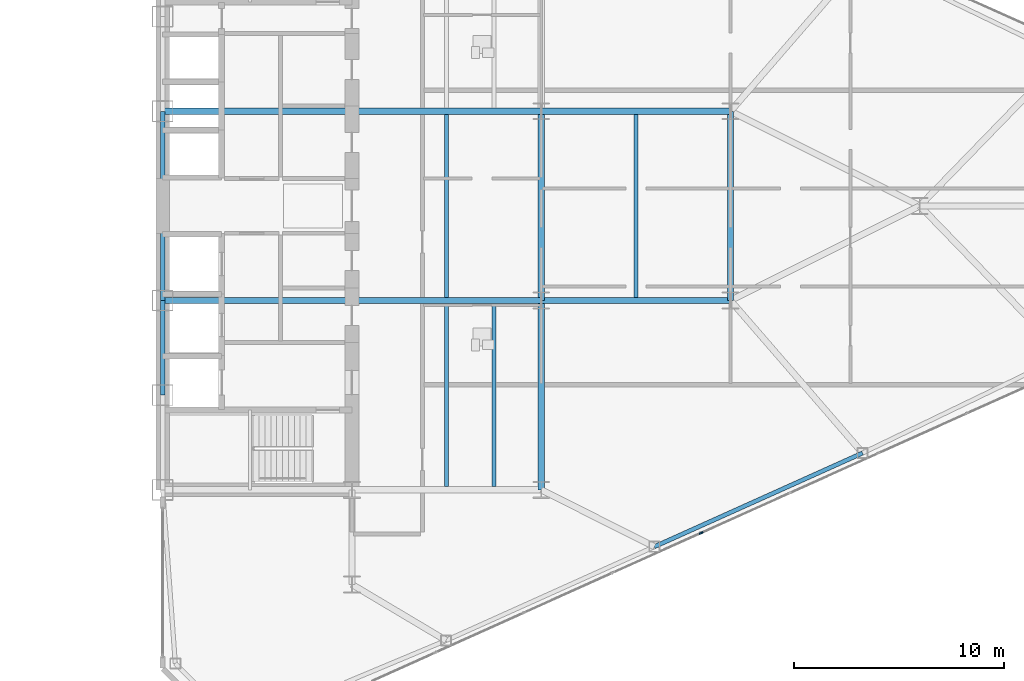
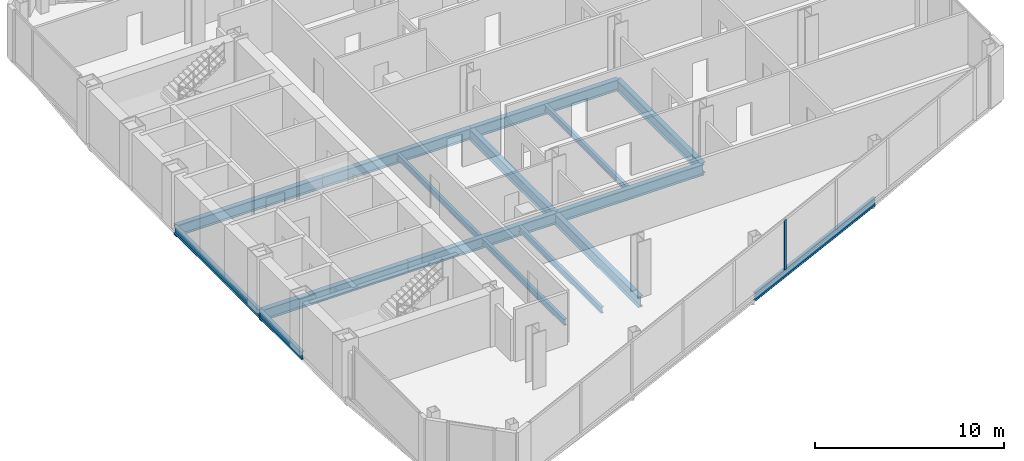
# One storey, part 12 of 27: 16 beams, 1 member, 1 element without a shape of its own.
"""IFC4 building model written with IfcOpenShell, lengths in metres."""

import ifcopenshell
import ifcopenshell.guid

model = None  # the IFC model being written
_history = None  # IfcOwnerHistory: only IFC2X3 demands one
_inside = {}  # id of a spatial element -> (the spatial element, [elements in it])
_under = {}  # id of a project, library or spatial element -> (it, [spatial elements below it])
_declared = {}  # id of a project -> (the project, [libraries it declares])
_typed = {}  # id of a type object -> (the type object, [elements of that type])
_made_of = {}  # id of a material, layer set ... -> (it, [elements and type objects made of it])


def new_model(schema):
    """Start an empty IFC model of exactly this schema.

    Asked for "IFC4X3", IfcOpenShell would pick the latest addendum, in which some entities
    have other attributes; the version numbers below select the first issue.
    IFC2X3 requires an IfcOwnerHistory on every rooted entity: one is made here for all.
    """
    global model, _history
    if schema == "IFC4X3":
        model = ifcopenshell.file(schema_version=(4, 3, 0, 0))
    else:
        model = ifcopenshell.file(schema=schema)
    _inside.clear()
    _under.clear()
    _declared.clear()
    _typed.clear()
    _made_of.clear()
    _history = None
    if model.schema == "IFC2X3":
        org = make("IfcOrganization", Name="unknown")
        user = make(
            "IfcPersonAndOrganization",
            ThePerson=make("IfcPerson", FamilyName="unknown"),
            TheOrganization=org,
        )
        app = make(
            "IfcApplication",
            ApplicationDeveloper=org,
            Version="unknown",
            ApplicationFullName="unknown",
            ApplicationIdentifier="unknown",
        )
        _history = make(
            "IfcOwnerHistory",
            OwningUser=user,
            OwningApplication=app,
            ChangeAction="ADDED",
            CreationDate=0,
        )
    return model


def make(cls, **values):
    """One entity of the class cls with the attributes given. An attribute that is None is left unset."""
    return model.create_entity(
        cls, **{name: value for name, value in values.items() if value is not None}
    )


def rooted(cls, **values):
    """An entity with a GlobalId (a new one), such as an element, a storey or a relation."""
    return make(cls, GlobalId=ifcopenshell.guid.new(), OwnerHistory=_history, **values)


def si_unit(unit_type, name, prefix=None):
    """IfcSIUnit, for example si_unit("LENGTHUNIT", "METRE", prefix="MILLI")."""
    return make("IfcSIUnit", UnitType=unit_type, Prefix=prefix, Name=name)


def assignment(units):
    """IfcUnitAssignment: the units of a project."""
    return None if units is None else make("IfcUnitAssignment", Units=units)


def point(xyz):
    """IfcCartesianPoint."""
    return None if xyz is None else make("IfcCartesianPoint", Coordinates=xyz)


def direction(xyz):
    """IfcDirection."""
    return None if xyz is None else make("IfcDirection", DirectionRatios=xyz)


def frame(location, z_axis=None, x_axis=None):
    """IfcAxis2Placement3D, a coordinate frame: its origin and axes. An axis left out is left unset."""
    return make(
        "IfcAxis2Placement3D",
        Location=point(location),
        Axis=direction(z_axis),
        RefDirection=direction(x_axis),
    )


def frame_2d(location, x_axis=None):
    """IfcAxis2Placement2D, a coordinate frame in the plane: its origin and x axis."""
    return make(
        "IfcAxis2Placement2D", Location=point(location), RefDirection=direction(x_axis)
    )


def origin():
    """The frame at (0, 0, 0) with its axes left unset."""
    return frame((0.0, 0.0, 0.0))


def origin_2d():
    """The frame at (0, 0) in the plane with its x axis left unset."""
    return frame_2d((0.0, 0.0))


def place(relative_to, where):
    """IfcLocalPlacement: puts the frame where relative to a parent placement (None: the world)."""
    return make(
        "IfcLocalPlacement", PlacementRelTo=relative_to, RelativePlacement=where
    )


def context(
    kind, dimensions, precision=None, world=None, true_north=None, identifier=None
):
    """IfcGeometricRepresentationContext, for example the 3D "Model" context."""
    return make(
        "IfcGeometricRepresentationContext",
        ContextIdentifier=identifier,
        ContextType=kind,
        CoordinateSpaceDimension=dimensions,
        Precision=precision,
        WorldCoordinateSystem=world,
        TrueNorth=true_north,
    )


def subcontext(parent, identifier, kind, view, scale=None):
    """IfcGeometricRepresentationSubContext, for example "Body" below "Model"."""
    return make(
        "IfcGeometricRepresentationSubContext",
        ContextIdentifier=identifier,
        ContextType=kind,
        ParentContext=parent,
        TargetScale=scale,
        TargetView=view,
    )


def project(units=None, contexts=None):
    """IfcProject with its units and contexts."""
    return rooted(
        "IfcProject",
        Name="project",
        RepresentationContexts=contexts,
        UnitsInContext=assignment(units),
    )


def spatial(cls, under=None, at=None, **own):
    """A site, building, storey or space (cls), placed at a placement, below another one or the project."""
    s = rooted(cls, ObjectPlacement=at, **own)
    if under is not None:
        _under.setdefault(under.id(), (under, []))[1].append(s)
    return s


def profile(cls, at=None, kind="AREA", **sizes):
    """A parametric profile (cls). Its sizes go by their IFC names, for example OverallWidth=200.0."""
    return make(cls, ProfileType=kind, Position=at, **sizes)


def rectangle(**sizes):
    """IfcRectangleProfileDef."""
    return profile("IfcRectangleProfileDef", **sizes)


def i_section(**sizes):
    """IfcIShapeProfileDef."""
    return profile("IfcIShapeProfileDef", **sizes)


def extrude(swept, where, along, depth):
    """IfcExtrudedAreaSolid: the profile swept, set in the frame where, extruded along a direction by depth."""
    return make(
        "IfcExtrudedAreaSolid",
        SweptArea=swept,
        Position=where,
        ExtrudedDirection=direction(along),
        Depth=depth,
    )


def shape(context_of_items, identifier, shape_type, items):
    """IfcShapeRepresentation: the items that make up one representation, for example the "Body"."""
    return make(
        "IfcShapeRepresentation",
        ContextOfItems=context_of_items,
        RepresentationIdentifier=identifier,
        RepresentationType=shape_type,
        Items=items,
    )


def source(mapping_origin, context_of_items, identifier, shape_type, items):
    """IfcRepresentationMap: a shape defined once, which mapped items show again and again."""
    return make(
        "IfcRepresentationMap",
        MappingOrigin=mapping_origin,
        MappedRepresentation=shape(context_of_items, identifier, shape_type, items),
    )


def transform(
    local_origin,
    x_axis=None,
    y_axis=None,
    z_axis=None,
    scale=None,
    scale2=None,
    scale3=None,
    uniform=True,
):
    """IfcCartesianTransformationOperator3D, or its non-uniform kind. x_axis, y_axis, z_axis: its Axis1, 2, 3."""
    if uniform:
        return make(
            "IfcCartesianTransformationOperator3D",
            Axis1=direction(x_axis),
            Axis2=direction(y_axis),
            LocalOrigin=point(local_origin),
            Scale=scale,
            Axis3=direction(z_axis),
        )
    return make(
        "IfcCartesianTransformationOperator3DnonUniform",
        Axis1=direction(x_axis),
        Axis2=direction(y_axis),
        LocalOrigin=point(local_origin),
        Scale=scale,
        Axis3=direction(z_axis),
        Scale2=scale2,
        Scale3=scale3,
    )


def mapped(mapping_source, mapping_target):
    """IfcMappedItem: shows the shape of a source again, moved by a transform."""
    return make(
        "IfcMappedItem", MappingSource=mapping_source, MappingTarget=mapping_target
    )


def material(Name=None, Category=None):
    """IfcMaterial."""
    return make("IfcMaterial", Name=Name, Category=Category)


def layer(
    of_material, thickness, ventilated=None, Name=None, Category=None, Priority=None
):
    """IfcMaterialLayer: one layer of a wall or slab, of a material (None: an air gap)."""
    return make(
        "IfcMaterialLayer",
        Material=of_material,
        LayerThickness=thickness,
        IsVentilated=ventilated,
        Name=Name,
        Category=Category,
        Priority=Priority,
    )


def layer_set(layers, Name=None):
    """IfcMaterialLayerSet."""
    return make("IfcMaterialLayerSet", MaterialLayers=layers, LayerSetName=Name)


def material_profile(
    of_material, cross_section, Name=None, Category=None, Priority=None
):
    """IfcMaterialProfile: a cross section and its material."""
    return make(
        "IfcMaterialProfile",
        Name=Name,
        Material=of_material,
        Profile=cross_section,
        Priority=Priority,
        Category=Category,
    )


def profile_set(profiles, Name=None, composite=None):
    """IfcMaterialProfileSet."""
    return make(
        "IfcMaterialProfileSet",
        Name=Name,
        MaterialProfiles=profiles,
        CompositeProfile=composite,
    )


def made_of(thing, what):
    """Note that an element or type object is made of a material, layer set ...; save() writes the relation."""
    if what is not None:
        _made_of.setdefault(what.id(), (what, []))[1].append(thing)
    return thing


def type_object(cls, material=None, **own):
    """A type object (cls), such as IfcWallType, which elements share."""
    return made_of(rooted(cls, **own), material)


def type_shapes(of_type, sources):
    """Give a type object the sources (RepresentationMaps) that its elements show as mapped items."""
    of_type.RepresentationMaps = sources


def element(
    cls,
    number,
    at=None,
    inside=None,
    cuts=None,
    type_object=None,
    material=None,
    context=None,
    identifier="Body",
    shape_type=None,
    held_by="IfcProductDefinitionShape",
    body=None,
    shapes=None,
    **own,
):
    """One element of the class cls, such as IfcWall. Its Tag is "e" and its number.

    at: its placement. inside: the storey or other place that contains it. cuts: it is an
    opening in that element (IfcRelVoidsElement). A single representation is given by context,
    identifier, shape_type and body (its items); several are given by shapes. held_by: the class
    of the entity that holds the representations. save() writes the other relations.
    """
    e = rooted(cls, Tag="e%d" % number, ObjectPlacement=at, **own)
    if body is not None:
        shapes = [shape(context, identifier, shape_type, body)]
    if shapes is not None:
        e.Representation = make(held_by, Representations=shapes)
    if inside is not None:
        _inside.setdefault(inside.id(), (inside, []))[1].append(e)
    if cuts is not None:
        rooted(
            "IfcRelVoidsElement", RelatingBuildingElement=cuts, RelatedOpeningElement=e
        )
    if type_object is not None:
        _typed.setdefault(type_object.id(), (type_object, []))[1].append(e)
    return made_of(e, material)


def aggregate(whole, parts):
    """IfcRelAggregates: a whole, such as a stair, and the parts it consists of."""
    return rooted("IfcRelAggregates", RelatingObject=whole, RelatedObjects=parts)


def save(model, path):
    """Write the relations noted so far, then the file.

    IfcRelAggregates (storeys below a building ...), IfcRelContainedInSpatialStructure (elements
    in a storey), IfcRelDefinesByType, IfcRelAssociatesMaterial and IfcRelDeclares: one each for
    every whole, place, type object, material and project.
    """
    for whole, parts in _under.values():
        aggregate(whole, parts)
    for where, things in _inside.values():
        rooted(
            "IfcRelContainedInSpatialStructure",
            RelatedElements=things,
            RelatingStructure=where,
        )
    for kind, things in _typed.values():
        rooted("IfcRelDefinesByType", RelatedObjects=things, RelatingType=kind)
    for what, things in _made_of.values():
        rooted("IfcRelAssociatesMaterial", RelatedObjects=things, RelatingMaterial=what)
    for by, libraries in _declared.values():
        rooted("IfcRelDeclares", RelatingContext=by, RelatedDefinitions=libraries)
    model.write(path)


model = new_model("IFC4")

# Units and contexts
model_context = context("Model", 3, precision=1e-05, world=origin(), true_north=direction((0.0, 1.0)))
body_context = subcontext(model_context, "Body", "Model", "MODEL_VIEW")
ifc_project = project(units=[si_unit("LENGTHUNIT", "METRE"), si_unit("AREAUNIT", "SQUARE_METRE"), si_unit("VOLUMEUNIT", "CUBIC_METRE"), si_unit("PLANEANGLEUNIT", "RADIAN"), si_unit("MASSUNIT", "GRAM", prefix="KILO")], contexts=[model_context])

# Site, building, storey
site_placement = place(None, origin())
site = spatial("IfcSite", under=ifc_project, at=site_placement, CompositionType="ELEMENT")
building_placement = place(site_placement, origin())
building = spatial("IfcBuilding", under=site, at=building_placement, Name="Seokmaru Belvedere", CompositionType="ELEMENT")
storey_placement = place(building_placement, frame((0.0, 0.0, 69.300048828125)))
storey = spatial("IfcBuildingStorey", under=building, at=storey_placement, Name="L18", CompositionType="ELEMENT", Elevation=69.300048828125)

# Beams
ifc_material_1 = material(Name="Steel SM355 (355 MPa)", Category="steel")
ifc_material_profile_1 = material_profile(ifc_material_1, i_section(OverallWidth=0.199951171875, OverallDepth=0.5, WebThickness=0.010009765625, FlangeThickness=0.01611328125, at=origin_2d()), Name="H-500x200x10x16")
ifc_profile_set_1 = profile_set([ifc_material_profile_1], Name="Steel SM355 (355 MPa)")
beam_type_1 = type_object("IfcBeamType", Name="Perimeter Spandrel Beam H-500", PredefinedType="SPANDREL", material=ifc_profile_set_1)
shared_shape_1 = source(origin(), body_context, "Body", "SweptSolid", [
    extrude(i_section(OverallWidth=0.199951171875, OverallDepth=0.5, WebThickness=0.010009765625, FlangeThickness=0.01611328125, at=origin_2d()), origin(), (0.0, 0.0, 1.0), 4.5),
])
beam_1_placement = place(storey_placement, frame((27.5, -9.0, -0.469970703125), z_axis=(0.0, 1.0, 0.0), x_axis=(-1.0, 0.0, 0.0)))
element("IfcBeam", 1, at=beam_1_placement, inside=storey, type_object=beam_type_1, Name="L18 E Portal Spine Spandrel 2", PredefinedType="SPANDREL", context=body_context, shape_type="MappedRepresentation", body=[
    mapped(shared_shape_1, transform((0.0, 0.0, 0.0), scale=1.0)),
])
shared_shape_2 = source(origin(), body_context, "Body", "SweptSolid", [
    extrude(i_section(OverallWidth=0.199951171875, OverallDepth=0.5, WebThickness=0.010009765625, FlangeThickness=0.01611328125, at=origin_2d()), origin(), (0.0, 0.0, 1.0), 9.0),
])
beam_2_placement = place(storey_placement, frame((27.5, -4.5, -0.469970703125), z_axis=(0.0, 1.0, 0.0), x_axis=(-1.0, 0.0, 0.0)))
element("IfcBeam", 2, at=beam_2_placement, inside=storey, type_object=beam_type_1, Name="L18 E Portal Spine Spandrel 3", PredefinedType="SPANDREL", context=body_context, shape_type="MappedRepresentation", body=[
    mapped(shared_shape_2, transform((0.0, 0.0, 0.0), scale=1.0)),
])
ifc_material_profile_2 = material_profile(ifc_material_1, i_section(OverallWidth=0.300048828125, OverallDepth=0.699951171875, WebThickness=0.012939453125, FlangeThickness=0.02392578125, at=origin_2d()), Name="H-700x300x13x24")
ifc_profile_set_2 = profile_set([ifc_material_profile_2], Name="Steel SM355 (355 MPa)")
beam_type_2 = type_object("IfcBeamType", Name="Primary Floor Girder H-700", PredefinedType="BEAM", material=ifc_profile_set_2)
shared_shape_3 = source(origin(), body_context, "Body", "SweptSolid", [
    extrude(i_section(OverallWidth=0.300048828125, OverallDepth=0.699951171875, WebThickness=0.012939453125, FlangeThickness=0.02392578125, at=origin_2d()), origin(), (0.0, 0.0, 1.0), 9.0),
])
type_shapes(beam_type_2, [shared_shape_3])
for number, where, z_axis, x_axis, name in (
    (3, (45.5, -13.5, -0.570068359375), (0.0, 1.0, 0.0), (-1.0, 0.0, 0.0), "L18 E Interior Grid Girder 1"),
    (4, (45.5, -4.5, -0.570068359375), (0.0, 1.0, 0.0), (-1.0, 0.0, 0.0), "L18 E Interior Grid Girder 2"),
    (5, (27.5, -4.5, -0.570068359375), (1.0, 0.0, 0.0), (0.0, 1.0, 0.0), "L18 E Core Tie Girder 2"),
    (6, (36.5, -4.5, -0.570068359375), (1.0, 0.0, 0.0), (0.0, 1.0, 0.0), "L18 E Wing Primary Girder 2"),
    (7, (27.5, 4.5, -0.570068359375), (1.0, 0.0, 0.0), (0.0, 1.0, 0.0), "L18 E Core Tie Girder 3"),
    (8, (36.5, 4.5, -0.570068359375), (1.0, 0.0, 0.0), (0.0, 1.0, 0.0), "L18 E Wing Primary Girder 3"),
    (9, (45.5, -4.5, -0.570068359375), (1.0, 0.0, 0.0), (0.0, 1.0, 0.0), "L18 E Outer Wing Girder 1"),
    (10, (45.5, 4.5, -0.570068359375), (1.0, 0.0, 0.0), (0.0, 1.0, 0.0), "L18 E Outer Wing Girder 2"),
    (11, (54.5, -4.5, -0.570068359375), (0.0, 1.0, 0.0), (-1.0, 0.0, 0.0), "L18 E Apex Frame Girder"),
):
    element("IfcBeam", number, at=place(storey_placement, frame(where, z_axis=z_axis, x_axis=x_axis)), inside=storey, type_object=beam_type_2, Name=name, PredefinedType="BEAM", context=body_context, shape_type="MappedRepresentation", body=[
        mapped(shared_shape_3, transform((0.0, 0.0, 0.0), scale=1.0)),
    ])
ifc_material_profile_3 = material_profile(ifc_material_1, i_section(OverallWidth=0.18505859375, OverallDepth=0.389892578125, WebThickness=0.008056640625, FlangeThickness=0.011962890625, at=origin_2d()), Name="H-390x185x8x12")
ifc_profile_set_3 = profile_set([ifc_material_profile_3], Name="Steel SM355 (355 MPa)")
beam_type_3 = type_object("IfcBeamType", Name="Secondary Floor Joist H-350", PredefinedType="JOIST", material=ifc_profile_set_3)
shared_shape_4 = source(origin(), body_context, "Body", "SweptSolid", [
    extrude(i_section(OverallWidth=0.18505859375, OverallDepth=0.389892578125, WebThickness=0.008056640625, FlangeThickness=0.011962890625, at=origin_2d()), origin(), (0.0, 0.0, 1.0), 8.68994140625),
])
type_shapes(beam_type_3, [shared_shape_4])
for number, where, z_axis, x_axis, name in (
    (12, (43.25, -13.344970703125, -0.4150390625), (0.0, 1.0, 0.0), (-1.0, 0.0, 0.0), "L18 E Wing Inner Secondary Joist 1"),
    (13, (41.0, -13.344970703125, -0.4150390625), (0.0, 1.0, 0.0), (-1.0, 0.0, 0.0), "L18 E Secondary Floor Joist 1"),
    (14, (41.0, -4.344970703125, -0.4150390625), (0.0, 1.0, 0.0), (-1.0, 0.0, 0.0), "L18 E Secondary Floor Joist 2"),
    (15, (50.0, -4.344970703125, -0.4150390625), (0.0, 1.0, 0.0), (-1.0, 0.0, 0.0), "L18 E Outer Bay Secondary Joist"),
):
    element("IfcBeam", number, at=place(storey_placement, frame(where, z_axis=z_axis, x_axis=x_axis)), inside=storey, type_object=beam_type_3, Name=name, PredefinedType="JOIST", context=body_context, shape_type="MappedRepresentation", body=[
        mapped(shared_shape_4, transform((0.0, 0.0, 0.0), scale=1.0)),
    ])
shared_shape_5 = source(origin(), body_context, "Body", "SweptSolid", [
    extrude(i_section(OverallWidth=0.199951171875, OverallDepth=0.5, WebThickness=0.010009765625, FlangeThickness=0.01611328125, at=origin_2d()), origin(), (0.0, 0.0, 1.0), 10.85888671875),
])
type_shapes(beam_type_1, [shared_shape_1, shared_shape_2, shared_shape_5])
beam_3_placement = place(storey_placement, frame((50.875, -16.205322265625, -0.469970703125), z_axis=(0.911925291223, 0.410356263785, 0.0), x_axis=(-0.410356263785, 0.911925291223, 0.0)))
element("IfcBeam", 16, at=beam_3_placement, inside=storey, type_object=beam_type_1, Name="L18 E Faceted Flank Spandrel S-3", PredefinedType="SPANDREL", context=body_context, shape_type="MappedRepresentation", body=[
    mapped(shared_shape_5, transform((0.0, 0.0, 0.0), scale=1.0)),
])

# Curtain wall, member
ifc_material_2 = material(Name="Bronze Triple Insulating Glass", Category="glass")
ifc_layer = layer(ifc_material_2, 0.195068359375)
ifc_layer_set = layer_set([ifc_layer], Name="Bronze Triple Insulating Glass")
curtain_wall_type = type_object("IfcCurtainWallType", Name="Lower-Mid Tapered Curtain Wall System CW-3", PredefinedType="NOTDEFINED", material=ifc_layer_set)
curtain_wall_placement = place(storey_placement, origin())
curtain_wall = element("IfcCurtainWall", 17, at=curtain_wall_placement, inside=storey, type_object=curtain_wall_type, Name="L18 Curtain Wall EF1", PredefinedType="NOTDEFINED")
ifc_material_3 = material(Name="Anodised Bronze Aluminium", Category="aluminium")
ifc_material_profile_4 = material_profile(ifc_material_3, rectangle(XDim=0.070068359375, YDim=0.195068359375, at=origin_2d()), Name="CW-M-70x195")
ifc_profile_set_4 = profile_set([ifc_material_profile_4], Name="Anodised Bronze Aluminium")
member_type = type_object("IfcMemberType", Name="Bronze Unitised Mullion 70x195", PredefinedType="MULLION", material=ifc_profile_set_4)
shared_shape_6 = source(origin(), body_context, "Body", "SweptSolid", [
    extrude(rectangle(XDim=0.070068359375, YDim=0.195068359375, at=origin_2d()), origin(), (0.0, 0.0, 1.0), 3.239990234375),
])
type_shapes(member_type, [shared_shape_6])
member_placement = place(storey_placement, frame((53.105712890625, -15.552490234375, 0.070068359375), z_axis=(0.0, 0.0, 1.0), x_axis=(-0.41036554765, 0.91192111353, 0.0)))
member = element("IfcMember", 18, at=member_placement, type_object=member_type, Name="CW:L18:EF1 Mullion 6", PredefinedType="MULLION", context=body_context, shape_type="MappedRepresentation", body=[
    mapped(shared_shape_6, transform((0.0, 0.0, 0.0), scale=1.0)),
])
aggregate(curtain_wall, [member])

save(model, "model.ifc")
